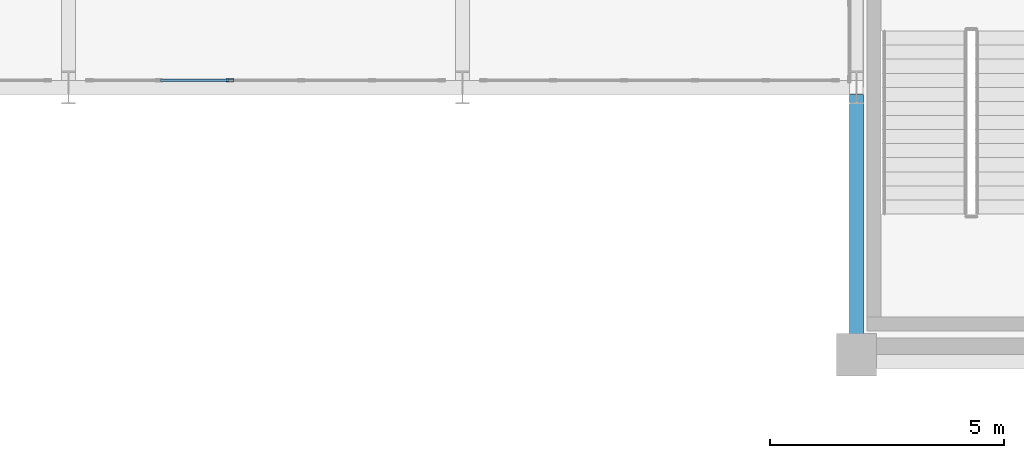
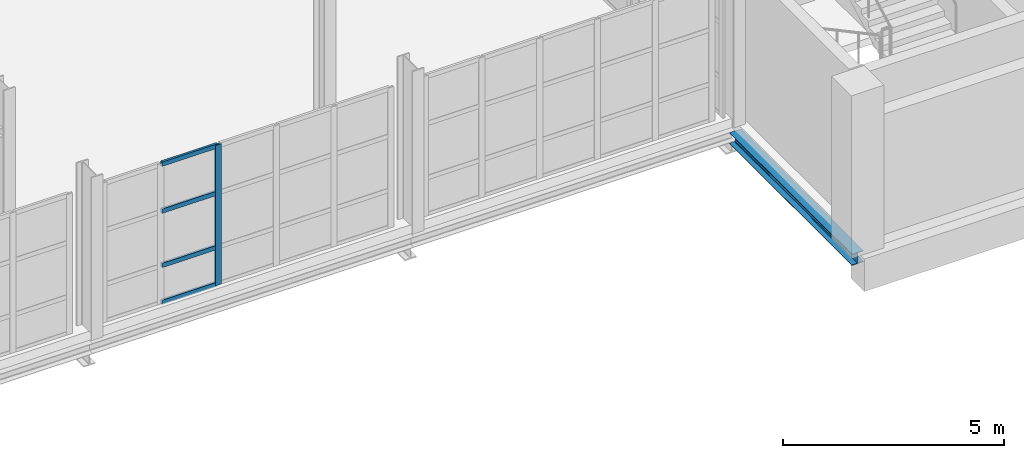
# One storey, part 12 of 109: 5 members, 1 beam, 1 element without a shape of its own.
"""IFC4 building model written with IfcOpenShell, lengths in metres."""

from ifc_helpers import new_model, si_unit, direction, frame, origin, origin_2d, place, context, subcontext, project, spatial, hollow_rectangle, i_section, extrude, material, material_profile, profile_set, type_object, element, aggregate, save


model = new_model("IFC4")

# Units and contexts
model_context = context("Model", 3, precision=1e-05, world=origin(), true_north=direction((0.0, 1.0)))
body_context = subcontext(model_context, "Body", "Model", "MODEL_VIEW")
ifc_project = project(units=[si_unit("LENGTHUNIT", "METRE"), si_unit("AREAUNIT", "SQUARE_METRE"), si_unit("VOLUMEUNIT", "CUBIC_METRE"), si_unit("PLANEANGLEUNIT", "RADIAN"), si_unit("MASSUNIT", "GRAM", prefix="KILO")], contexts=[model_context])

# Site, building, storey
site_placement = place(None, origin())
site = spatial("IfcSite", under=ifc_project, at=site_placement, CompositionType="ELEMENT")
building_placement = place(site_placement, origin())
building = spatial("IfcBuilding", under=site, at=building_placement, Name="Veltarok Museum of Natural Sciences", CompositionType="ELEMENT")
storey_placement = place(building_placement, frame((0.0, 0.0, 17.39990234375)))
storey = spatial("IfcBuildingStorey", under=building, at=storey_placement, Name="L03", CompositionType="ELEMENT", Elevation=17.39990234375)

# Curtain wall, members
ifc_material_1 = material(Name="Low-iron triple insulated glass", Category="glass")
curtain_wall_type = type_object("IfcCurtainWallType", Name="Curtain Wall System CW-BRG-S-L03-2-756x388 (Bridge South Cantilever L03 2-3 756x388cm)", PredefinedType="NOTDEFINED", material=ifc_material_1)
curtain_wall_placement = place(storey_placement, origin())
curtain_wall = element("IfcCurtainWall", 1, at=curtain_wall_placement, inside=storey, type_object=curtain_wall_type, Name="Curtain Wall CW-BRG-S-L03-2-756x388 CW-0038", PredefinedType="NOTDEFINED")
ifc_material_2 = material(Name="Thermally broken anodised aluminium", Category="aluminium")
ifc_material_profile_1 = material_profile(ifc_material_2, hollow_rectangle(XDim=0.06005859375, YDim=0.1201171875, WallThickness=0.0048828125, at=origin_2d()), Name="CW TRANSOM 60x120x5")
ifc_profile_set_1 = profile_set([ifc_material_profile_1], Name="Thermally broken anodised aluminium")
member_type_1 = type_object("IfcMemberType", Name="Curtain Wall Horizontal Transom 60x120x5", PredefinedType="USERDEFINED", material=ifc_profile_set_1)
member_1_placement = place(storey_placement, frame((16.761962890625, 5.85009765625, 0.030029296875), z_axis=(1.0, 0.0, 0.0), x_axis=(0.0, 1.0, 0.0)))
member_1 = element("IfcMember", 2, at=member_1_placement, type_object=member_type_1, Name="CW-BRG-S-L03-2-756x388 transom 2.1", ObjectType="TRANSOM", PredefinedType="USERDEFINED", context=body_context, shape_type="SweptSolid", body=[
    extrude(hollow_rectangle(XDim=0.06005859375, YDim=0.1201171875, WallThickness=0.0048828125, at=origin_2d()), origin(), (0.0, 0.0, 1.0), 1.4521484375),
])
member_2_placement = place(storey_placement, frame((16.761962890625, 5.85009765625, 1.050048828125), z_axis=(1.0, 0.0, 0.0), x_axis=(0.0, 1.0, 0.0)))
member_2 = element("IfcMember", 3, at=member_2_placement, type_object=member_type_1, Name="CW-BRG-S-L03-2-756x388 transom 2.2", ObjectType="TRANSOM", PredefinedType="USERDEFINED", context=body_context, shape_type="SweptSolid", body=[
    extrude(hollow_rectangle(XDim=0.06005859375, YDim=0.1201171875, WallThickness=0.0048828125, at=origin_2d()), origin(), (0.0, 0.0, 1.0), 1.4521484375),
])
member_3_placement = place(storey_placement, frame((16.761962890625, 5.85009765625, 2.550048828125), z_axis=(1.0, 0.0, 0.0), x_axis=(0.0, 1.0, 0.0)))
member_3 = element("IfcMember", 4, at=member_3_placement, type_object=member_type_1, Name="CW-BRG-S-L03-2-756x388 transom 2.3", ObjectType="TRANSOM", PredefinedType="USERDEFINED", context=body_context, shape_type="SweptSolid", body=[
    extrude(hollow_rectangle(XDim=0.06005859375, YDim=0.1201171875, WallThickness=0.0048828125, at=origin_2d()), origin(), (0.0, 0.0, 1.0), 1.4521484375),
])
member_4_placement = place(storey_placement, frame((16.761962890625, 5.85009765625, 3.85009765625), z_axis=(1.0, 0.0, 0.0), x_axis=(0.0, 1.0, 0.0)))
member_4 = element("IfcMember", 5, at=member_4_placement, type_object=member_type_1, Name="CW-BRG-S-L03-2-756x388 transom 2.4", ObjectType="TRANSOM", PredefinedType="USERDEFINED", context=body_context, shape_type="SweptSolid", body=[
    extrude(hollow_rectangle(XDim=0.06005859375, YDim=0.1201171875, WallThickness=0.0048828125, at=origin_2d()), origin(), (0.0, 0.0, 1.0), 1.4521484375),
])
ifc_material_profile_2 = material_profile(ifc_material_2, hollow_rectangle(XDim=0.06005859375, YDim=0.159912109375, WallThickness=0.0048828125, at=origin_2d()), Name="CW MULLION 60x160x5")
ifc_profile_set_2 = profile_set([ifc_material_profile_2], Name="Thermally broken anodised aluminium")
member_type_2 = type_object("IfcMemberType", Name="Curtain Wall Vertical Mullion 60x160x5", PredefinedType="MULLION", material=ifc_profile_set_2)
member_5_placement = place(storey_placement, frame((18.243896484375, 5.85009765625, 0.0), z_axis=(0.0, 0.0, 1.0), x_axis=(0.0, 1.0, 0.0)))
member_5 = element("IfcMember", 6, at=member_5_placement, type_object=member_type_2, Name="CW-BRG-S-L03-2-756x388 mullion 3", PredefinedType="MULLION", context=body_context, shape_type="SweptSolid", body=[
    extrude(hollow_rectangle(XDim=0.06005859375, YDim=0.159912109375, WallThickness=0.0048828125, at=origin_2d()), origin(), (0.0, 0.0, 1.0), 3.880126953125),
])
aggregate(curtain_wall, [member_5, member_1, member_2, member_3, member_4])

# Beam
ifc_material_3 = material(Name="Steel S355J2", Category="steel")
ifc_material_profile_3 = material_profile(ifc_material_3, i_section(OverallWidth=0.300048828125, OverallDepth=0.31005859375, WebThickness=0.009033203125, FlangeThickness=0.015380859375, FilletRadius=0.027099609375, at=origin_2d()), Name="HEA 320")
ifc_profile_set_3 = profile_set([ifc_material_profile_3], Name="Steel S355J2")
beam_type = type_object("IfcBeamType", Name="Perimeter Edge Spandrel HEA 320", PredefinedType="SPANDREL", material=ifc_profile_set_3)
beam_placement = place(storey_placement, frame((31.60009765625, 0.0, -0.40478515625), z_axis=(0.0, 1.0, 0.0), x_axis=(-1.0, 0.0, 0.0)))
element("IfcBeam", 7, at=beam_placement, inside=storey, type_object=beam_type, Name="Beam BM-SP04 L03 4/A-B", PredefinedType="SPANDREL", context=body_context, shape_type="SweptSolid", body=[
    extrude(i_section(OverallWidth=0.300048828125, OverallDepth=0.31005859375, WebThickness=0.009033203125, FlangeThickness=0.015380859375, FilletRadius=0.027099609375, at=origin_2d()), origin(), (0.0, 0.0, 1.0), 5.550048828125),
])

save(model, "model.ifc")
